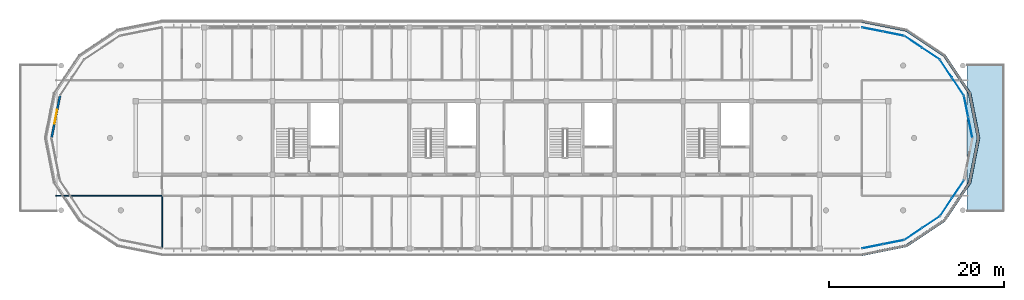
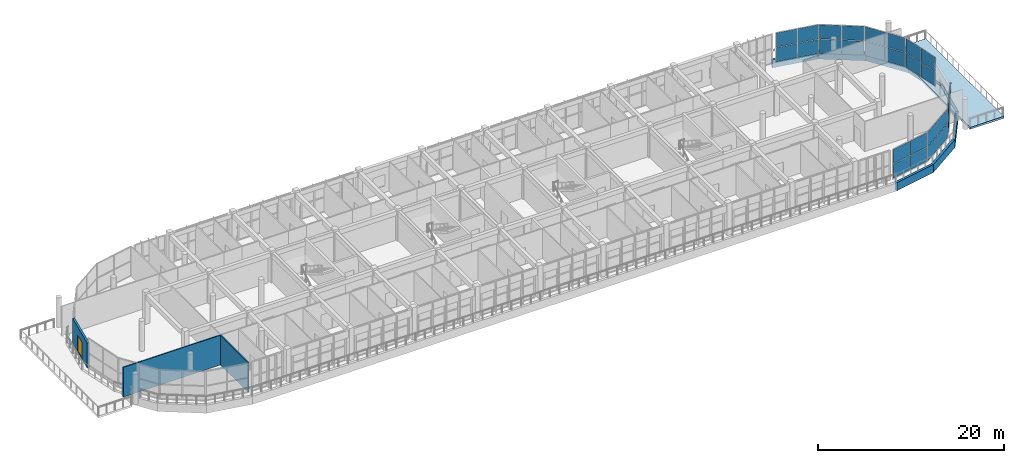
# One storey, part 46 of 56: 36 plates, 3 walls, 1 door, 1 slab, 1 opening, 7 elements without a shape of their own.
"""IFC4 building model written with IfcOpenShell, lengths in metres."""

from ifc_helpers import new_model, si_unit, direction, frame, frame_2d, origin, origin_2d, place, context, subcontext, project, spatial, polyline, rectangle, outline, extrude, material, layer, layer_set, type_object, element, fill, aggregate, save


model = new_model("IFC4")

# Units and contexts
model_context = context("Model", 3, precision=1e-05, world=origin(), true_north=direction((0.0, 1.0)))
body_context = subcontext(model_context, "Body", "Model", "MODEL_VIEW")
ifc_project = project(units=[si_unit("LENGTHUNIT", "METRE"), si_unit("AREAUNIT", "SQUARE_METRE"), si_unit("VOLUMEUNIT", "CUBIC_METRE"), si_unit("PLANEANGLEUNIT", "RADIAN"), si_unit("MASSUNIT", "GRAM", prefix="KILO")], contexts=[model_context])

# Site, building, storey
site_placement = place(None, origin())
site = spatial("IfcSite", under=ifc_project, at=site_placement, CompositionType="ELEMENT")
building_placement = place(site_placement, origin())
building = spatial("IfcBuilding", under=site, at=building_placement, Name="Zizhar Promenade General Hospital", CompositionType="ELEMENT")
storey_placement = place(building_placement, frame((0.0, 0.0, 26.39990234375)))
storey = spatial("IfcBuildingStorey", under=building, at=storey_placement, Name="L06", CompositionType="ELEMENT", Elevation=26.39990234375)

# Curtain wall, plates
ifc_material_1 = material(Name="Anodised aluminium 6063-T6 and low-E glass", Category="aluminium")
ifc_layer_1 = layer(ifc_material_1, 0.159912109375)
ifc_layer_set_1 = layer_set([ifc_layer_1], Name="Anodised aluminium 6063-T6 and low-E glass")
curtain_wall_type = type_object("IfcCurtainWallType", Name="CW-WARD-ARC", PredefinedType="NOTDEFINED", material=ifc_layer_set_1)
curtain_wall_1_placement = place(storey_placement, origin())
curtain_wall_1 = element("IfcCurtainWall", 1, at=curtain_wall_1_placement, inside=storey, type_object=curtain_wall_type, Name="Ward Semicircular End Glazing L06-01", PredefinedType="NOTDEFINED")
ifc_material_2 = material(Name="Low-E solar-control glass", Category="glass")
ifc_layer_2 = layer(ifc_material_2, 0.031982421875)
ifc_layer_set_2 = layer_set([ifc_layer_2], Name="Low-E solar-control glass")
plate_type_1 = type_object("IfcPlateType", Name="CWP-GLZ-32", PredefinedType="CURTAIN_PANEL", material=ifc_layer_set_2)
plate_1_placement = place(storey_placement, frame((117.6015625, 0.71630859375, 0.06005859375), z_axis=(0.0, 0.0, 1.0), x_axis=(-0.980785889615, -0.195087259275, 0.0)))
plate_1 = element("IfcPlate", 2, at=plate_1_placement, type_object=plate_type_1, Name="CW-12 panel 1.1", PredefinedType="CURTAIN_PANEL", context=body_context, shape_type="SweptSolid", body=[
    extrude(rectangle(XDim=2.3681640625, YDim=0.031982421875, at=origin_2d()), origin(), (0.0, 0.0, 1.0), 1.860107421875),
])
plate_2_placement = place(storey_placement, frame((117.6015625, 0.71630859375, 1.97998046875), z_axis=(0.0, 0.0, 1.0), x_axis=(-0.980785889615, -0.195087259275, 0.0)))
plate_2 = element("IfcPlate", 3, at=plate_2_placement, type_object=plate_type_1, Name="CW-12 panel 1.2", PredefinedType="CURTAIN_PANEL", context=body_context, shape_type="SweptSolid", body=[
    extrude(rectangle(XDim=2.3681640625, YDim=0.031982421875, at=origin_2d()), origin(), (0.0, 0.0, 1.0), 1.860107421875),
])
plate_3_placement = place(storey_placement, frame((115.22021484375, 0.24267578125, 0.06005859375), z_axis=(0.0, 0.0, 1.0), x_axis=(-0.980785889615, -0.195087259275, 0.0)))
plate_3 = element("IfcPlate", 4, at=plate_3_placement, type_object=plate_type_1, Name="CW-12 panel 2.1", PredefinedType="CURTAIN_PANEL", context=body_context, shape_type="SweptSolid", body=[
    extrude(rectangle(XDim=2.3681640625, YDim=0.031982421875, at=origin_2d()), origin(), (0.0, 0.0, 1.0), 1.860107421875),
])
plate_4_placement = place(storey_placement, frame((115.22021484375, 0.24267578125, 1.97998046875), z_axis=(0.0, 0.0, 1.0), x_axis=(-0.980785889615, -0.195087259275, 0.0)))
plate_4 = element("IfcPlate", 5, at=plate_4_placement, type_object=plate_type_1, Name="CW-12 panel 2.2", PredefinedType="CURTAIN_PANEL", context=body_context, shape_type="SweptSolid", body=[
    extrude(rectangle(XDim=2.3681640625, YDim=0.031982421875, at=origin_2d()), origin(), (0.0, 0.0, 1.0), 1.860107421875),
])
aggregate(curtain_wall_1, [plate_1, plate_2, plate_3, plate_4])

curtain_wall_2_placement = place(storey_placement, origin())
curtain_wall_2 = element("IfcCurtainWall", 6, at=curtain_wall_2_placement, inside=storey, type_object=curtain_wall_type, Name="Ward Semicircular End Glazing L06-02", PredefinedType="NOTDEFINED")
plate_5_placement = place(storey_placement, frame((121.875, 2.999267578125, 0.06005859375), z_axis=(0.0, 0.0, 1.0), x_axis=(-0.831461514468, -0.555582352095, 0.0)))
plate_5 = element("IfcPlate", 7, at=plate_5_placement, type_object=plate_type_1, Name="CW-12 panel 1.1", PredefinedType="CURTAIN_PANEL", context=body_context, shape_type="SweptSolid", body=[
    extrude(rectangle(XDim=2.3681640625, YDim=0.031982421875, at=origin_2d()), origin(), (0.0, 0.0, 1.0), 1.860107421875),
])
plate_6_placement = place(storey_placement, frame((121.875, 2.999267578125, 1.97998046875), z_axis=(0.0, 0.0, 1.0), x_axis=(-0.831461514468, -0.555582352095, 0.0)))
plate_6 = element("IfcPlate", 8, at=plate_6_placement, type_object=plate_type_1, Name="CW-12 panel 1.2", PredefinedType="CURTAIN_PANEL", context=body_context, shape_type="SweptSolid", body=[
    extrude(rectangle(XDim=2.3681640625, YDim=0.031982421875, at=origin_2d()), origin(), (0.0, 0.0, 1.0), 1.860107421875),
])
plate_7_placement = place(storey_placement, frame((119.856201171875, 1.650390625, 0.06005859375), z_axis=(0.0, 0.0, 1.0), x_axis=(-0.831461514468, -0.555582352095, 0.0)))
plate_7 = element("IfcPlate", 9, at=plate_7_placement, type_object=plate_type_1, Name="CW-12 panel 2.1", PredefinedType="CURTAIN_PANEL", context=body_context, shape_type="SweptSolid", body=[
    extrude(rectangle(XDim=2.3681640625, YDim=0.031982421875, at=origin_2d()), origin(), (0.0, 0.0, 1.0), 1.860107421875),
])
plate_8_placement = place(storey_placement, frame((119.856201171875, 1.650390625, 1.97998046875), z_axis=(0.0, 0.0, 1.0), x_axis=(-0.831461514468, -0.555582352095, 0.0)))
plate_8 = element("IfcPlate", 10, at=plate_8_placement, type_object=plate_type_1, Name="CW-12 panel 2.2", PredefinedType="CURTAIN_PANEL", context=body_context, shape_type="SweptSolid", body=[
    extrude(rectangle(XDim=2.3681640625, YDim=0.031982421875, at=origin_2d()), origin(), (0.0, 0.0, 1.0), 1.860107421875),
])
aggregate(curtain_wall_2, [plate_5, plate_6, plate_7, plate_8])

curtain_wall_3_placement = place(storey_placement, origin())
curtain_wall_3 = element("IfcCurtainWall", 11, at=curtain_wall_3_placement, inside=storey, type_object=curtain_wall_type, Name="Ward Semicircular End Glazing L06-03", PredefinedType="NOTDEFINED")
plate_9_placement = place(storey_placement, frame((124.94970703125, 6.743896484375, 0.06005859375), z_axis=(0.0, 0.0, 1.0), x_axis=(-0.555582352095, -0.831461514468, 0.0)))
plate_9 = element("IfcPlate", 12, at=plate_9_placement, type_object=plate_type_1, Name="CW-12 panel 1.1", PredefinedType="CURTAIN_PANEL", context=body_context, shape_type="SweptSolid", body=[
    extrude(rectangle(XDim=2.3681640625, YDim=0.031982421875, at=origin_2d()), origin(), (0.0, 0.0, 1.0), 1.860107421875),
])
plate_10_placement = place(storey_placement, frame((124.94970703125, 6.743896484375, 1.97998046875), z_axis=(0.0, 0.0, 1.0), x_axis=(-0.555582352095, -0.831461514468, 0.0)))
plate_10 = element("IfcPlate", 13, at=plate_10_placement, type_object=plate_type_1, Name="CW-12 panel 1.2", PredefinedType="CURTAIN_PANEL", context=body_context, shape_type="SweptSolid", body=[
    extrude(rectangle(XDim=2.3681640625, YDim=0.031982421875, at=origin_2d()), origin(), (0.0, 0.0, 1.0), 1.860107421875),
])
plate_11_placement = place(storey_placement, frame((123.6005859375, 4.724853515625, 0.06005859375), z_axis=(0.0, 0.0, 1.0), x_axis=(-0.555582352095, -0.831461514468, 0.0)))
plate_11 = element("IfcPlate", 14, at=plate_11_placement, type_object=plate_type_1, Name="CW-12 panel 2.1", PredefinedType="CURTAIN_PANEL", context=body_context, shape_type="SweptSolid", body=[
    extrude(rectangle(XDim=2.3681640625, YDim=0.031982421875, at=origin_2d()), origin(), (0.0, 0.0, 1.0), 1.860107421875),
])
plate_12_placement = place(storey_placement, frame((123.6005859375, 4.724853515625, 1.97998046875), z_axis=(0.0, 0.0, 1.0), x_axis=(-0.555582352095, -0.831461514468, 0.0)))
plate_12 = element("IfcPlate", 15, at=plate_12_placement, type_object=plate_type_1, Name="CW-12 panel 2.2", PredefinedType="CURTAIN_PANEL", context=body_context, shape_type="SweptSolid", body=[
    extrude(rectangle(XDim=2.3681640625, YDim=0.031982421875, at=origin_2d()), origin(), (0.0, 0.0, 1.0), 1.860107421875),
])
aggregate(curtain_wall_3, [plate_9, plate_10, plate_11, plate_12])

curtain_wall_4_placement = place(storey_placement, origin())
curtain_wall_4 = element("IfcCurtainWall", 16, at=curtain_wall_4_placement, inside=storey, type_object=curtain_wall_type, Name="Ward Semicircular End Glazing L06-05", PredefinedType="NOTDEFINED")
plate_13_placement = place(storey_placement, frame((125.883544921875, 16.20166015625, 0.06005859375), z_axis=(0.0, 0.0, 1.0), x_axis=(0.195087259275, -0.980785889615, 0.0)))
plate_13 = element("IfcPlate", 17, at=plate_13_placement, type_object=plate_type_1, Name="CW-12 panel 1.1", PredefinedType="CURTAIN_PANEL", context=body_context, shape_type="SweptSolid", body=[
    extrude(rectangle(XDim=2.3681640625, YDim=0.031982421875, at=origin_2d()), origin(), (0.0, 0.0, 1.0), 1.860107421875),
])
plate_14_placement = place(storey_placement, frame((125.883544921875, 16.20166015625, 1.97998046875), z_axis=(0.0, 0.0, 1.0), x_axis=(0.195087259275, -0.980785889615, 0.0)))
plate_14 = element("IfcPlate", 18, at=plate_14_placement, type_object=plate_type_1, Name="CW-12 panel 1.2", PredefinedType="CURTAIN_PANEL", context=body_context, shape_type="SweptSolid", body=[
    extrude(rectangle(XDim=2.3681640625, YDim=0.031982421875, at=origin_2d()), origin(), (0.0, 0.0, 1.0), 1.860107421875),
])
plate_15_placement = place(storey_placement, frame((126.357177734375, 13.820068359375, 0.06005859375), z_axis=(0.0, 0.0, 1.0), x_axis=(0.195087259275, -0.980785889615, 0.0)))
plate_15 = element("IfcPlate", 19, at=plate_15_placement, type_object=plate_type_1, Name="CW-12 panel 2.1", PredefinedType="CURTAIN_PANEL", context=body_context, shape_type="SweptSolid", body=[
    extrude(rectangle(XDim=2.3681640625, YDim=0.031982421875, at=origin_2d()), origin(), (0.0, 0.0, 1.0), 1.860107421875),
])
plate_16_placement = place(storey_placement, frame((126.357177734375, 13.820068359375, 1.97998046875), z_axis=(0.0, 0.0, 1.0), x_axis=(0.195087259275, -0.980785889615, 0.0)))
plate_16 = element("IfcPlate", 20, at=plate_16_placement, type_object=plate_type_1, Name="CW-12 panel 2.2", PredefinedType="CURTAIN_PANEL", context=body_context, shape_type="SweptSolid", body=[
    extrude(rectangle(XDim=2.3681640625, YDim=0.031982421875, at=origin_2d()), origin(), (0.0, 0.0, 1.0), 1.860107421875),
])
aggregate(curtain_wall_4, [plate_13, plate_14, plate_15, plate_16])

curtain_wall_5_placement = place(storey_placement, origin())
curtain_wall_5 = element("IfcCurtainWall", 21, at=curtain_wall_5_placement, inside=storey, type_object=curtain_wall_type, Name="Ward Semicircular End Glazing L06-06", PredefinedType="NOTDEFINED")
plate_17_placement = place(storey_placement, frame((123.6005859375, 20.47509765625, 0.06005859375), z_axis=(0.0, 0.0, 1.0), x_axis=(0.555582352095, -0.831461514468, 0.0)))
plate_17 = element("IfcPlate", 22, at=plate_17_placement, type_object=plate_type_1, Name="CW-12 panel 1.1", PredefinedType="CURTAIN_PANEL", context=body_context, shape_type="SweptSolid", body=[
    extrude(rectangle(XDim=2.3681640625, YDim=0.031982421875, at=origin_2d()), origin(), (0.0, 0.0, 1.0), 1.860107421875),
])
plate_18_placement = place(storey_placement, frame((123.6005859375, 20.47509765625, 1.97998046875), z_axis=(0.0, 0.0, 1.0), x_axis=(0.555582352095, -0.831461514468, 0.0)))
plate_18 = element("IfcPlate", 23, at=plate_18_placement, type_object=plate_type_1, Name="CW-12 panel 1.2", PredefinedType="CURTAIN_PANEL", context=body_context, shape_type="SweptSolid", body=[
    extrude(rectangle(XDim=2.3681640625, YDim=0.031982421875, at=origin_2d()), origin(), (0.0, 0.0, 1.0), 1.860107421875),
])
plate_19_placement = place(storey_placement, frame((124.94970703125, 18.456298828125, 0.06005859375), z_axis=(0.0, 0.0, 1.0), x_axis=(0.555582352095, -0.831461514468, 0.0)))
plate_19 = element("IfcPlate", 24, at=plate_19_placement, type_object=plate_type_1, Name="CW-12 panel 2.1", PredefinedType="CURTAIN_PANEL", context=body_context, shape_type="SweptSolid", body=[
    extrude(rectangle(XDim=2.3681640625, YDim=0.031982421875, at=origin_2d()), origin(), (0.0, 0.0, 1.0), 1.860107421875),
])
plate_20_placement = place(storey_placement, frame((124.94970703125, 18.456298828125, 1.97998046875), z_axis=(0.0, 0.0, 1.0), x_axis=(0.555582352095, -0.831461514468, 0.0)))
plate_20 = element("IfcPlate", 25, at=plate_20_placement, type_object=plate_type_1, Name="CW-12 panel 2.2", PredefinedType="CURTAIN_PANEL", context=body_context, shape_type="SweptSolid", body=[
    extrude(rectangle(XDim=2.3681640625, YDim=0.031982421875, at=origin_2d()), origin(), (0.0, 0.0, 1.0), 1.860107421875),
])
aggregate(curtain_wall_5, [plate_17, plate_18, plate_19, plate_20])

curtain_wall_6_placement = place(storey_placement, origin())
curtain_wall_6 = element("IfcCurtainWall", 26, at=curtain_wall_6_placement, inside=storey, type_object=curtain_wall_type, Name="Ward Semicircular End Glazing L06-07", PredefinedType="NOTDEFINED")
plate_21_placement = place(storey_placement, frame((119.856201171875, 23.5498046875, 0.06005859375), z_axis=(0.0, 0.0, 1.0), x_axis=(0.831461514468, -0.555582352095, 0.0)))
plate_21 = element("IfcPlate", 27, at=plate_21_placement, type_object=plate_type_1, Name="CW-12 panel 1.1", PredefinedType="CURTAIN_PANEL", context=body_context, shape_type="SweptSolid", body=[
    extrude(rectangle(XDim=2.3681640625, YDim=0.031982421875, at=origin_2d()), origin(), (0.0, 0.0, 1.0), 1.860107421875),
])
plate_22_placement = place(storey_placement, frame((119.856201171875, 23.5498046875, 1.97998046875), z_axis=(0.0, 0.0, 1.0), x_axis=(0.831461514468, -0.555582352095, 0.0)))
plate_22 = element("IfcPlate", 28, at=plate_22_placement, type_object=plate_type_1, Name="CW-12 panel 1.2", PredefinedType="CURTAIN_PANEL", context=body_context, shape_type="SweptSolid", body=[
    extrude(rectangle(XDim=2.3681640625, YDim=0.031982421875, at=origin_2d()), origin(), (0.0, 0.0, 1.0), 1.860107421875),
])
plate_23_placement = place(storey_placement, frame((121.875, 22.20068359375, 0.06005859375), z_axis=(0.0, 0.0, 1.0), x_axis=(0.831461514468, -0.555582352095, 0.0)))
plate_23 = element("IfcPlate", 29, at=plate_23_placement, type_object=plate_type_1, Name="CW-12 panel 2.1", PredefinedType="CURTAIN_PANEL", context=body_context, shape_type="SweptSolid", body=[
    extrude(rectangle(XDim=2.3681640625, YDim=0.031982421875, at=origin_2d()), origin(), (0.0, 0.0, 1.0), 1.860107421875),
])
plate_24_placement = place(storey_placement, frame((121.875, 22.20068359375, 1.97998046875), z_axis=(0.0, 0.0, 1.0), x_axis=(0.831461514468, -0.555582352095, 0.0)))
plate_24 = element("IfcPlate", 30, at=plate_24_placement, type_object=plate_type_1, Name="CW-12 panel 2.2", PredefinedType="CURTAIN_PANEL", context=body_context, shape_type="SweptSolid", body=[
    extrude(rectangle(XDim=2.3681640625, YDim=0.031982421875, at=origin_2d()), origin(), (0.0, 0.0, 1.0), 1.860107421875),
])
aggregate(curtain_wall_6, [plate_21, plate_22, plate_23, plate_24])

curtain_wall_7_placement = place(storey_placement, origin())
curtain_wall_7 = element("IfcCurtainWall", 31, at=curtain_wall_7_placement, inside=storey, type_object=curtain_wall_type, Name="Ward Semicircular End Glazing L06-08", PredefinedType="NOTDEFINED")
plate_25_placement = place(storey_placement, frame((115.22021484375, 24.957275390625, 0.06005859375), z_axis=(0.0, 0.0, 1.0), x_axis=(0.980785889615, -0.195087259275, 0.0)))
plate_25 = element("IfcPlate", 32, at=plate_25_placement, type_object=plate_type_1, Name="CW-12 panel 1.1", PredefinedType="CURTAIN_PANEL", context=body_context, shape_type="SweptSolid", body=[
    extrude(rectangle(XDim=2.3681640625, YDim=0.031982421875, at=origin_2d()), origin(), (0.0, 0.0, 1.0), 1.860107421875),
])
plate_26_placement = place(storey_placement, frame((115.22021484375, 24.957275390625, 1.97998046875), z_axis=(0.0, 0.0, 1.0), x_axis=(0.980785889615, -0.195087259275, 0.0)))
plate_26 = element("IfcPlate", 33, at=plate_26_placement, type_object=plate_type_1, Name="CW-12 panel 1.2", PredefinedType="CURTAIN_PANEL", context=body_context, shape_type="SweptSolid", body=[
    extrude(rectangle(XDim=2.3681640625, YDim=0.031982421875, at=origin_2d()), origin(), (0.0, 0.0, 1.0), 1.860107421875),
])
plate_27_placement = place(storey_placement, frame((117.6015625, 24.483642578125, 0.06005859375), z_axis=(0.0, 0.0, 1.0), x_axis=(0.980785889615, -0.195087259275, 0.0)))
plate_27 = element("IfcPlate", 34, at=plate_27_placement, type_object=plate_type_1, Name="CW-12 panel 2.1", PredefinedType="CURTAIN_PANEL", context=body_context, shape_type="SweptSolid", body=[
    extrude(rectangle(XDim=2.3681640625, YDim=0.031982421875, at=origin_2d()), origin(), (0.0, 0.0, 1.0), 1.860107421875),
])
plate_28_placement = place(storey_placement, frame((117.6015625, 24.483642578125, 1.97998046875), z_axis=(0.0, 0.0, 1.0), x_axis=(0.980785889615, -0.195087259275, 0.0)))
plate_28 = element("IfcPlate", 35, at=plate_28_placement, type_object=plate_type_1, Name="CW-12 panel 2.2", PredefinedType="CURTAIN_PANEL", context=body_context, shape_type="SweptSolid", body=[
    extrude(rectangle(XDim=2.3681640625, YDim=0.031982421875, at=origin_2d()), origin(), (0.0, 0.0, 1.0), 1.860107421875),
])
aggregate(curtain_wall_7, [plate_25, plate_26, plate_27, plate_28])

# Plates
ifc_material_3 = material(Name="Precast concrete C40/50", Category="concrete")
ifc_layer_3 = layer(ifc_material_3, 0.300048828125)
ifc_layer_set_3 = layer_set([ifc_layer_3], Name="Precast concrete C40/50")
plate_type_2 = type_object("IfcPlateType", Name="PL-PC-BAND1100", PredefinedType="USERDEFINED", material=ifc_layer_set_3)
plate_29_placement = place(storey_placement, frame((0.0, 0.0, -1.0498046875)))
element("IfcPlate", 36, at=plate_29_placement, inside=storey, type_object=plate_type_2, Name="Ward Precast Slab Band L06-01", ObjectType="FASCIA_BAND", PredefinedType="USERDEFINED", context=body_context, shape_type="SweptSolid", body=[
    extrude(outline(polyline([(114.0, -0.85009765625), (119.147216796875, 0.173828125), (119.088623046875, 0.468017578125), (113.94140625, -0.555908203125), (114.0, -0.85009765625)])), origin(), (0.0, 0.0, 1.0), 1.0498046875),
])
plate_30_placement = place(storey_placement, frame((0.0, 0.0, -1.0498046875)))
element("IfcPlate", 37, at=plate_30_placement, inside=storey, type_object=plate_type_2, Name="Ward Precast Slab Band L06-02", ObjectType="FASCIA_BAND", PredefinedType="USERDEFINED", context=body_context, shape_type="SweptSolid", body=[
    extrude(outline(polyline([(119.147216796875, 0.173828125), (123.510498046875, 3.08935546875), (123.343994140625, 3.3388671875), (118.98046875, 0.423095703125), (119.147216796875, 0.173828125)])), origin(), (0.0, 0.0, 1.0), 1.0498046875),
])
plate_31_placement = place(storey_placement, frame((0.0, 0.0, -1.0498046875)))
element("IfcPlate", 38, at=plate_31_placement, inside=storey, type_object=plate_type_2, Name="Ward Precast Slab Band L06-03", ObjectType="FASCIA_BAND", PredefinedType="USERDEFINED", context=body_context, shape_type="SweptSolid", body=[
    extrude(outline(polyline([(123.510498046875, 3.08935546875), (126.42626953125, 7.452880859375), (126.1767578125, 7.61962890625), (123.26123046875, 3.256103515625), (123.510498046875, 3.08935546875)])), origin(), (0.0, 0.0, 1.0), 1.0498046875),
])
plate_32_placement = place(storey_placement, frame((0.0, 0.0, -1.0498046875)))
element("IfcPlate", 39, at=plate_32_placement, inside=storey, type_object=plate_type_2, Name="Ward Precast Slab Band L06-04", ObjectType="FASCIA_BAND", PredefinedType="USERDEFINED", context=body_context, shape_type="SweptSolid", body=[
    extrude(outline(polyline([(126.42626953125, 7.452880859375), (127.449951171875, 12.60009765625), (127.15576171875, 12.658447265625), (126.132080078125, 7.511474609375), (126.42626953125, 7.452880859375)])), origin(), (0.0, 0.0, 1.0), 1.0498046875),
])
plate_33_placement = place(storey_placement, frame((0.0, 0.0, -1.0498046875)))
element("IfcPlate", 40, at=plate_33_placement, inside=storey, type_object=plate_type_2, Name="Ward Precast Slab Band L06-05", ObjectType="FASCIA_BAND", PredefinedType="USERDEFINED", context=body_context, shape_type="SweptSolid", body=[
    extrude(outline(polyline([(127.449951171875, 12.60009765625), (126.42626953125, 17.7470703125), (126.132080078125, 17.688720703125), (127.15576171875, 12.54150390625), (127.449951171875, 12.60009765625)])), origin(), (0.0, 0.0, 1.0), 1.0498046875),
])
plate_34_placement = place(storey_placement, frame((0.0, 0.0, -1.0498046875)))
element("IfcPlate", 41, at=plate_34_placement, inside=storey, type_object=plate_type_2, Name="Ward Precast Slab Band L06-06", ObjectType="FASCIA_BAND", PredefinedType="USERDEFINED", context=body_context, shape_type="SweptSolid", body=[
    extrude(outline(polyline([(126.42626953125, 17.7470703125), (123.510498046875, 22.110595703125), (123.26123046875, 21.94384765625), (126.1767578125, 17.580322265625), (126.42626953125, 17.7470703125)])), origin(), (0.0, 0.0, 1.0), 1.0498046875),
])
plate_35_placement = place(storey_placement, frame((0.0, 0.0, -1.0498046875)))
element("IfcPlate", 42, at=plate_35_placement, inside=storey, type_object=plate_type_2, Name="Ward Precast Slab Band L06-07", ObjectType="FASCIA_BAND", PredefinedType="USERDEFINED", context=body_context, shape_type="SweptSolid", body=[
    extrude(outline(polyline([(123.510498046875, 22.110595703125), (119.147216796875, 25.026123046875), (118.98046875, 24.77685546875), (123.343994140625, 21.861083984375), (123.510498046875, 22.110595703125)])), origin(), (0.0, 0.0, 1.0), 1.0498046875),
])
plate_36_placement = place(storey_placement, frame((0.0, 0.0, -1.0498046875)))
element("IfcPlate", 43, at=plate_36_placement, inside=storey, type_object=plate_type_2, Name="Ward Precast Slab Band L06-08", ObjectType="FASCIA_BAND", PredefinedType="USERDEFINED", context=body_context, shape_type="SweptSolid", body=[
    extrude(outline(polyline([(119.147216796875, 25.026123046875), (114.0, 26.050048828125), (113.94140625, 25.755859375), (119.088623046875, 24.73193359375), (119.147216796875, 25.026123046875)])), origin(), (0.0, 0.0, 1.0), 1.0498046875),
])

# Slab
ifc_material_4 = material(Name="Concrete C35/45", Category="concrete")
ifc_layer_4 = layer(ifc_material_4, 0.25)
ifc_layer_set_4 = layer_set([ifc_layer_4], Name="Concrete C35/45")
slab_type = type_object("IfcSlabType", Name="SLB-TERR-250", PredefinedType="ROOF", material=ifc_layer_set_4)
slab_placement = place(storey_placement, frame((0.0, 0.0, -0.25)))
element("IfcSlab", 44, at=slab_placement, inside=storey, type_object=slab_type, Name="Level L06 East Recovery Terrace Slab", PredefinedType="ROOF", context=body_context, shape_type="SweptSolid", body=[
    extrude(outline(polyline([(126.0, 4.199951171875), (130.199951171875, 4.199951171875), (130.199951171875, 21.0), (126.0, 21.0), (126.0, 4.199951171875)])), origin(), (0.0, 0.0, 1.0), 0.25),
])

# Wall, opening, door
ifc_material_5 = material(Name="Precast concrete C40/50", Category="concrete")
ifc_layer_5 = layer(ifc_material_5, 0.2451171875)
ifc_layer_set_5 = layer_set([ifc_layer_5], Name="Precast concrete C40/50")
wall_type_1 = type_object("IfcWallType", Name="EW-PC-245", PredefinedType="STANDARD", material=ifc_layer_set_5)
wall_1_placement = place(storey_placement, frame((21.60009765625, 12.60009765625, 0.0), z_axis=(0.0, 0.0, 1.0), x_axis=(0.195065517012, 0.980790214099, 0.0)))
wall_1 = element("IfcWall", 45, at=wall_1_placement, inside=storey, type_object=wall_type_1, Name="Ward West Terrace Portal Wall L06", PredefinedType="STANDARD", context=body_context, shape_type="SweptSolid", body=[
    extrude(rectangle(XDim=4.916259765625, YDim=0.2451171875, at=frame_2d((2.4580078125, 0.0))), origin(), (0.0, 0.0, 1.0), 3.27001953125),
])
opening_placement = place(wall_1_placement, frame((1.658203125, 0.0, 0.0)))
opening = element("IfcOpeningElement", 46, at=opening_placement, cuts=wall_1, Name="Opening ED-05", PredefinedType="OPENING", context=body_context, shape_type="SweptSolid", body=[
    extrude(rectangle(XDim=1.60009765625, YDim=2.199951171875, at=frame_2d((0.800048828125, 1.10009765625))), frame((0.0, 0.132568359375, 0.0), z_axis=(0.0, -1.0, 0.0), x_axis=(1.0, 0.0, 0.0)), (0.0, 0.0, 1.0), 0.26513671875),
])
ifc_material_6 = material(Name="Anodised aluminium 6063-T6 and laminated safety glass", Category="aluminium")
door_type = type_object("IfcDoorType", Name="DR-EXT-TERR-160x220", OperationType="DOUBLE_DOOR_SINGLE_SWING", PredefinedType="DOOR", material=ifc_material_6)
door_placement = place(opening_placement, origin())
door = element("IfcDoor", 47, at=door_placement, inside=storey, type_object=door_type, Name="Level L06 West Recovery Terrace Door", OperationType="DOUBLE_DOOR_SINGLE_SWING", OverallHeight=2.199951171875, OverallWidth=1.60009765625, PredefinedType="DOOR", context=body_context, shape_type="SweptSolid", body=[
    extrude(rectangle(XDim=1.60009765625, YDim=2.199951171875, at=frame_2d((0.800048828125, 1.10009765625))), frame((0.0, 0.02490234375, 0.0), z_axis=(0.0, -1.0, 0.0), x_axis=(1.0, 0.0, 0.0)), (0.0, 0.0, 1.0), 0.050048828125),
])
fill(opening, door)

# Walls
ifc_material_7 = material(Name="Clean utility gypsum partition")
ifc_layer_6 = layer(ifc_material_7, 0.114990234375)
ifc_layer_set_6 = layer_set([ifc_layer_6], Name="Clean utility gypsum partition")
wall_type_2 = type_object("IfcWallType", Name="IW-STR-115", PredefinedType="PARTITIONING", material=ifc_layer_set_6)
wall_2_placement = place(storey_placement, frame((22.10009765625, 6.0, 0.0), z_axis=(0.0, 0.0, 1.0), x_axis=(1.0, 0.0, 0.0)))
element("IfcWall", 48, at=wall_2_placement, inside=storey, type_object=wall_type_2, Name="West Patient Recovery Solarium L06 S Partition", PredefinedType="PARTITIONING", context=body_context, shape_type="SweptSolid", body=[
    extrude(rectangle(XDim=12.099853515625, YDim=0.114990234375, at=frame_2d((6.0498046875, 0.0))), origin(), (0.0, 0.0, 1.0), 3.900146484375),
])
ifc_material_8 = material(Name="Moisture-resistant en-suite wet partition")
ifc_layer_7 = layer(ifc_material_8, 0.125)
ifc_layer_set_7 = layer_set([ifc_layer_7], Name="Moisture-resistant en-suite wet partition")
wall_type_3 = type_object("IfcWallType", Name="IW-WET-125", PredefinedType="PARTITIONING", material=ifc_layer_set_7)
wall_3_placement = place(storey_placement, frame((34.199951171875, 0.044921875, 0.0), z_axis=(0.0, 0.0, 1.0), x_axis=(0.0, 1.0, 0.0)))
element("IfcWall", 49, at=wall_3_placement, inside=storey, type_object=wall_type_3, Name="En-Suite Patient Bathroom L06-S01 W Partition", PredefinedType="PARTITIONING", context=body_context, shape_type="SweptSolid", body=[
    extrude(rectangle(XDim=5.955078125, YDim=0.125, at=frame_2d((2.9775390625, 0.0))), origin(), (0.0, 0.0, 1.0), 3.900146484375),
])

save(model, "model.ifc")
